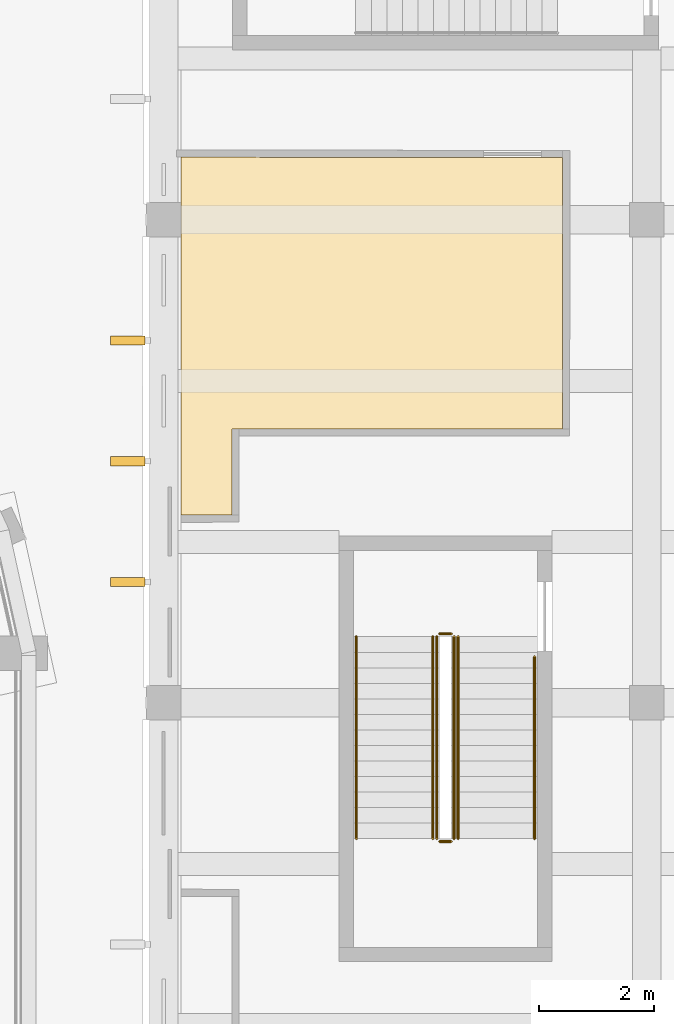
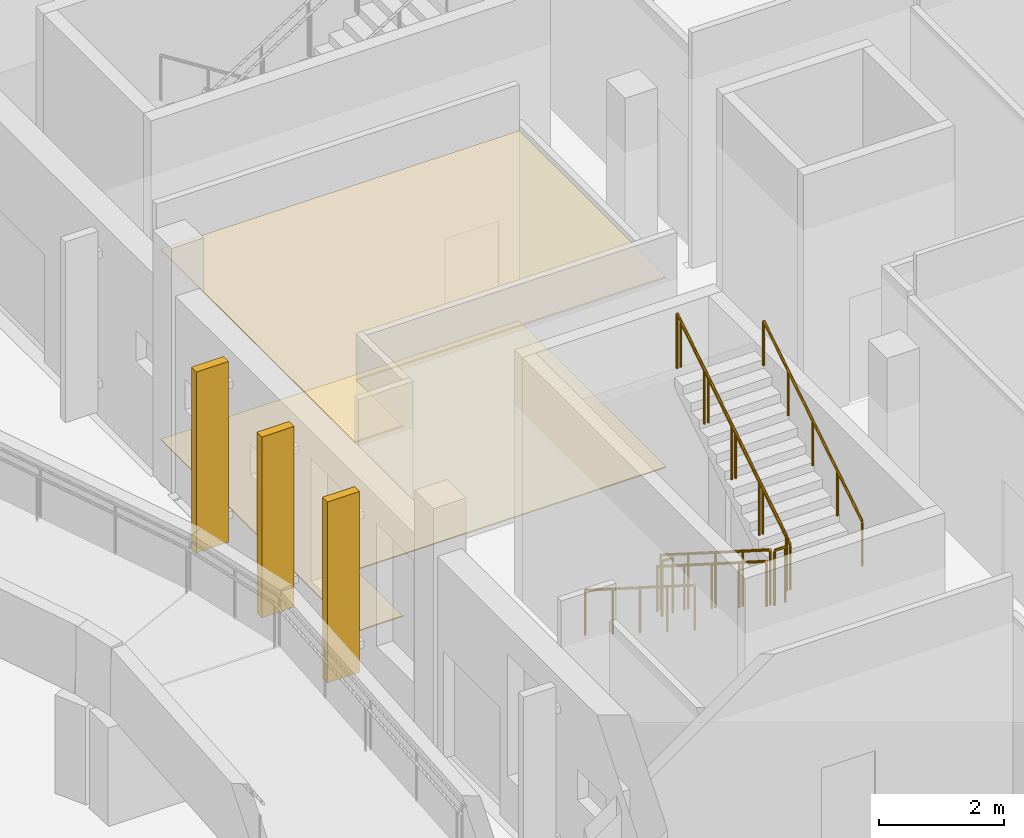
# One storey, part 89 of 110: 8 railings, 5 coverings.
"""IFC4 building model written with IfcOpenShell, lengths in metres."""

from ifc_helpers import new_model, si_unit, direction, frame, origin, origin_2d, place, context, subcontext, project, spatial, polyline, circle, outline, extrude, material, layer, layer_set, type_object, element, save


model = new_model("IFC4")

# Units and contexts
model_context = context("Model", 3, precision=1e-05, world=origin(), true_north=direction((0.0, 1.0)))
body_context = subcontext(model_context, "Body", "Model", "MODEL_VIEW")
ifc_project = project(units=[si_unit("LENGTHUNIT", "METRE"), si_unit("AREAUNIT", "SQUARE_METRE"), si_unit("VOLUMEUNIT", "CUBIC_METRE"), si_unit("PLANEANGLEUNIT", "RADIAN"), si_unit("MASSUNIT", "GRAM", prefix="KILO")], contexts=[model_context])

# Site, building, storey
site_placement = place(None, origin())
site = spatial("IfcSite", under=ifc_project, at=site_placement, CompositionType="ELEMENT")
building_placement = place(site_placement, origin())
building = spatial("IfcBuilding", under=site, at=building_placement, Name="Larchfold Concert Hall", CompositionType="ELEMENT")
storey_placement = place(building_placement, origin())
storey = spatial("IfcBuildingStorey", under=building, at=storey_placement, Name="L00", CompositionType="ELEMENT", Elevation=0.0)

# Coverings
ifc_material_1 = material(Name="Plasterboard ceiling lining")
ifc_layer_1 = layer(ifc_material_1, 0.030029296875)
ifc_layer_set_1 = layer_set([ifc_layer_1], Name="Plasterboard ceiling lining")
covering_type_1 = type_object("IfcCoveringType", Name="Ceiling suspended plasterboard 30", PredefinedType="CEILING", material=ifc_layer_set_1)
covering_1_placement = place(storey_placement, frame((0.0, 0.0, 3.7099609375)))
element("IfcCovering", 1, at=covering_1_placement, inside=storey, type_object=covering_type_1, Name="Ceiling Dressing Room 03", PredefinedType="CEILING", context=body_context, shape_type="SweptSolid", body=[
    extrude(outline(polyline([(84.900146484375, 35.28857421875), (84.900146484375, 29.0625), (85.825439453125, 29.0673828125), (85.78662109375, 29.0673828125), (85.78857421875, 30.5615234375), (91.60009765625, 30.5634765625), (91.53466796875, 30.5634765625), (91.53857421875, 35.279541015625), (84.900146484375, 35.28857421875)])), origin(), (0.0, 0.0, 1.0), 0.030029296875),
])
ifc_material_2 = material(Name="Linoleum sheet")
ifc_layer_2 = layer(ifc_material_2, 0.02001953125)
ifc_layer_set_2 = layer_set([ifc_layer_2], Name="Linoleum sheet")
covering_type_2 = type_object("IfcCoveringType", Name="Floor finish vinyl 20", PredefinedType="FLOORING", material=ifc_layer_set_2)
covering_2_placement = place(storey_placement, origin())
element("IfcCovering", 2, at=covering_2_placement, inside=storey, type_object=covering_type_2, Name="Floor finish Dressing Room 03", PredefinedType="FLOORING", context=body_context, shape_type="SweptSolid", body=[
    extrude(outline(polyline([(84.900146484375, 35.28857421875), (84.900146484375, 29.0625), (85.825439453125, 29.0673828125), (85.78662109375, 29.0673828125), (85.78857421875, 30.5615234375), (91.60009765625, 30.5634765625), (91.53466796875, 30.5634765625), (91.53857421875, 35.279541015625), (84.900146484375, 35.28857421875)])), origin(), (0.0, 0.0, 1.0), 0.02001953125),
])
ifc_material_3 = material(Name="Glulam GL30c", Category="wood")
ifc_layer_3 = layer(ifc_material_3, 0.159912109375)
ifc_layer_set_3 = layer_set([ifc_layer_3], Name="Glulam GL30c")
covering_type_3 = type_object("IfcCoveringType", Name="Glulam fin 160x600", PredefinedType="CLADDING", material=ifc_layer_set_3)
covering_3_placement = place(storey_placement, frame((0.0, 0.0, 0.199951171875)))
element("IfcCovering", 3, at=covering_3_placement, inside=storey, type_object=covering_type_3, Name="Glulam fin FN-L00-041", PredefinedType="CLADDING", context=body_context, shape_type="SweptSolid", body=[
    extrude(outline(polyline([(84.275146484375, 27.820068359375), (84.275146484375, 27.97998046875), (83.675048828125, 27.97998046875), (83.675048828125, 27.820068359375), (84.275146484375, 27.820068359375)])), origin(), (0.0, 0.0, 1.0), 3.5400390625),
])
covering_4_placement = place(storey_placement, frame((0.0, 0.0, 0.199951171875)))
element("IfcCovering", 4, at=covering_4_placement, inside=storey, type_object=covering_type_3, Name="Glulam fin FN-L00-042", PredefinedType="CLADDING", context=body_context, shape_type="SweptSolid", body=[
    extrude(outline(polyline([(84.275146484375, 29.919921875), (84.275146484375, 30.080078125), (83.675048828125, 30.080078125), (83.675048828125, 29.919921875), (84.275146484375, 29.919921875)])), origin(), (0.0, 0.0, 1.0), 3.5400390625),
])
covering_5_placement = place(storey_placement, frame((0.0, 0.0, 0.199951171875)))
element("IfcCovering", 5, at=covering_5_placement, inside=storey, type_object=covering_type_3, Name="Glulam fin FN-L00-043", PredefinedType="CLADDING", context=body_context, shape_type="SweptSolid", body=[
    extrude(outline(polyline([(84.275146484375, 32.02001953125), (84.275146484375, 32.179931640625), (83.675048828125, 32.179931640625), (83.675048828125, 32.02001953125), (84.275146484375, 32.02001953125)])), origin(), (0.0, 0.0, 1.0), 3.5400390625),
])

# Railings
ifc_material_4 = material(Name="Stainless steel balustrade", Category="steel")
railing_type_1 = type_object("IfcRailingType", Name="Stair guard 1100", PredefinedType="GUARDRAIL", material=ifc_material_4)
railing_1_placement = place(storey_placement, frame((89.349853515625, 26.949951171875, 0.17138671875)))
element("IfcRailing", 6, at=railing_1_placement, inside=storey, type_object=railing_type_1, Name="Guard GR0057", PredefinedType="GUARDRAIL", context=body_context, shape_type="SweptSolid", body=[
    extrude(circle(Radius=0.02392578125, at=origin_2d()), frame((0.0, 0.0, 1.076171875), z_axis=(0.0, -0.844219563411, 0.53599750816), x_axis=(1.0, 0.0, 0.0)), (0.0, 0.0, 1.0), 4.15771484375),
    extrude(circle(Radius=0.02099609375, at=origin_2d()), origin(), (0.0, 0.0, 1.0), 1.052001953125),
    extrude(circle(Radius=0.02099609375, at=origin_2d()), frame((0.0, -0.87744140625, 0.55712890625)), (0.0, 0.0, 1.0), 1.052001953125),
    extrude(circle(Radius=0.02099609375, at=origin_2d()), frame((0.0, -1.7548828125, 1.1142578125)), (0.0, 0.0, 1.0), 1.052001953125),
    extrude(circle(Radius=0.02099609375, at=origin_2d()), frame((0.0, -2.632568359375, 1.67138671875)), (0.0, 0.0, 1.0), 1.052001953125),
    extrude(circle(Radius=0.02099609375, at=origin_2d()), frame((0.0, -3.510009765625, 2.228515625)), (0.0, 0.0, 1.0), 1.052001953125),
])
railing_2_placement = place(storey_placement, frame((89.39990234375, 23.389892578125, 2.39990234375)))
element("IfcRailing", 7, at=railing_2_placement, inside=storey, type_object=railing_type_1, Name="Guard GR0058", PredefinedType="GUARDRAIL", context=body_context, shape_type="SweptSolid", body=[
    extrude(circle(Radius=0.02392578125, at=origin_2d()), frame((0.0, 0.0, 1.076171875), z_axis=(1.0, 0.0, 0.0), x_axis=(0.0, 1.0, 0.0)), (0.0, 0.0, 1.0), 0.199951171875),
    extrude(circle(Radius=0.02099609375, at=origin_2d()), origin(), (0.0, 0.0, 1.0), 1.052001953125),
    extrude(circle(Radius=0.02099609375, at=origin_2d()), frame((0.199951171875, 0.0, 0.0)), (0.0, 0.0, 1.0), 1.052001953125),
])
railing_3_placement = place(storey_placement, frame((89.64990234375, 23.43994140625, 2.571533203125)))
element("IfcRailing", 8, at=railing_3_placement, inside=storey, type_object=railing_type_1, Name="Guard GR0059", PredefinedType="GUARDRAIL", context=body_context, shape_type="SweptSolid", body=[
    extrude(circle(Radius=0.02392578125, at=origin_2d()), frame((0.0, 0.0, 1.076171875), z_axis=(0.0, 0.844219563411, 0.53599750816), x_axis=(-1.0, 0.0, 0.0)), (0.0, 0.0, 1.0), 4.15771484375),
    extrude(circle(Radius=0.02099609375, at=origin_2d()), origin(), (0.0, 0.0, 1.0), 1.052001953125),
    extrude(circle(Radius=0.02099609375, at=origin_2d()), frame((0.0, 0.87744140625, 0.55712890625)), (0.0, 0.0, 1.0), 1.052001953125),
    extrude(circle(Radius=0.02099609375, at=origin_2d()), frame((0.0, 1.7548828125, 1.1142578125)), (0.0, 0.0, 1.0), 1.052001953125),
    extrude(circle(Radius=0.02099609375, at=origin_2d()), frame((0.0, 2.632568359375, 1.67138671875)), (0.0, 0.0, 1.0), 1.052001953125),
    extrude(circle(Radius=0.02099609375, at=origin_2d()), frame((0.0, 3.510009765625, 2.228515625)), (0.0, 0.0, 1.0), 1.052001953125),
])
railing_4_placement = place(storey_placement, frame((89.39990234375, 27.0, 0.0)))
element("IfcRailing", 9, at=railing_4_placement, inside=storey, type_object=railing_type_1, Name="Guard GR0060", PredefinedType="GUARDRAIL", context=body_context, shape_type="SweptSolid", body=[
    extrude(circle(Radius=0.02392578125, at=origin_2d()), frame((0.0, 0.0, 1.076171875), z_axis=(1.0, 0.0, 0.0), x_axis=(0.0, 1.0, 0.0)), (0.0, 0.0, 1.0), 0.199951171875),
    extrude(circle(Radius=0.02099609375, at=origin_2d()), origin(), (0.0, 0.0, 1.0), 1.052001953125),
    extrude(circle(Radius=0.02099609375, at=origin_2d()), frame((0.199951171875, 0.0, 0.0)), (0.0, 0.0, 1.0), 1.052001953125),
])
ifc_material_5 = material(Name="Stainless steel handrail", Category="steel")
railing_type_2 = type_object("IfcRailingType", Name="Stair handrail 900", PredefinedType="HANDRAIL", material=ifc_material_5)
railing_5_placement = place(storey_placement, frame((87.949951171875, 26.949951171875, 0.17138671875)))
element("IfcRailing", 10, at=railing_5_placement, inside=storey, type_object=railing_type_2, Name="Handrail HR0053", PredefinedType="HANDRAIL", context=body_context, shape_type="SweptSolid", body=[
    extrude(circle(Radius=0.02392578125, at=origin_2d()), frame((0.0, 0.0, 0.8759765625), z_axis=(0.0, -0.844219563411, 0.53599750816), x_axis=(1.0, 0.0, 0.0)), (0.0, 0.0, 1.0), 4.15771484375),
    extrude(circle(Radius=0.02099609375, at=origin_2d()), origin(), (0.0, 0.0, 1.0), 0.851806640625),
    extrude(circle(Radius=0.02099609375, at=origin_2d()), frame((0.0, -0.87744140625, 0.55712890625)), (0.0, 0.0, 1.0), 0.851806640625),
    extrude(circle(Radius=0.02099609375, at=origin_2d()), frame((0.0, -1.7548828125, 1.1142578125)), (0.0, 0.0, 1.0), 0.851806640625),
    extrude(circle(Radius=0.02099609375, at=origin_2d()), frame((0.0, -2.632568359375, 1.67138671875)), (0.0, 0.0, 1.0), 0.851806640625),
    extrude(circle(Radius=0.02099609375, at=origin_2d()), frame((0.0, -3.510009765625, 2.228515625)), (0.0, 0.0, 1.0), 0.851806640625),
])
railing_6_placement = place(storey_placement, frame((91.0498046875, 23.43994140625, 2.571533203125)))
element("IfcRailing", 11, at=railing_6_placement, inside=storey, type_object=railing_type_2, Name="Handrail HR0054", PredefinedType="HANDRAIL", context=body_context, shape_type="SweptSolid", body=[
    extrude(circle(Radius=0.02392578125, at=origin_2d()), frame((0.0, 0.0, 0.8759765625), z_axis=(0.0, 0.844224994989, 0.535988953092), x_axis=(-1.0, 0.0, 0.0)), (0.0, 0.0, 1.0), 3.7431640625),
    extrude(circle(Radius=0.02099609375, at=origin_2d()), origin(), (0.0, 0.0, 1.0), 0.851806640625),
    extrude(circle(Radius=0.02099609375, at=origin_2d()), frame((0.0, 0.7900390625, 0.50146484375)), (0.0, 0.0, 1.0), 0.851806640625),
    extrude(circle(Radius=0.02099609375, at=origin_2d()), frame((0.0, 1.580078125, 1.003173828125)), (0.0, 0.0, 1.0), 0.851806640625),
    extrude(circle(Radius=0.02099609375, at=origin_2d()), frame((0.0, 2.3701171875, 1.5048828125)), (0.0, 0.0, 1.0), 0.851806640625),
    extrude(circle(Radius=0.02099609375, at=origin_2d()), frame((0.0, 3.16015625, 2.00634765625)), (0.0, 0.0, 1.0), 0.851806640625),
])
railing_7_placement = place(storey_placement, frame((89.27978515625, 26.949951171875, 0.17138671875)))
element("IfcRailing", 12, at=railing_7_placement, inside=storey, type_object=railing_type_2, Name="Handrail HR0055", PredefinedType="HANDRAIL", context=body_context, shape_type="SweptSolid", body=[
    extrude(circle(Radius=0.02392578125, at=origin_2d()), frame((0.0, 0.0, 0.8759765625), z_axis=(0.0, -0.844219563411, 0.53599750816), x_axis=(1.0, 0.0, 0.0)), (0.0, 0.0, 1.0), 4.15771484375),
    extrude(circle(Radius=0.02099609375, at=origin_2d()), origin(), (0.0, 0.0, 1.0), 0.851806640625),
    extrude(circle(Radius=0.02099609375, at=origin_2d()), frame((0.0, -0.87744140625, 0.55712890625)), (0.0, 0.0, 1.0), 0.851806640625),
    extrude(circle(Radius=0.02099609375, at=origin_2d()), frame((0.0, -1.7548828125, 1.1142578125)), (0.0, 0.0, 1.0), 0.851806640625),
    extrude(circle(Radius=0.02099609375, at=origin_2d()), frame((0.0, -2.632568359375, 1.67138671875)), (0.0, 0.0, 1.0), 0.851806640625),
    extrude(circle(Radius=0.02099609375, at=origin_2d()), frame((0.0, -3.510009765625, 2.228515625)), (0.0, 0.0, 1.0), 0.851806640625),
])
railing_8_placement = place(storey_placement, frame((89.719970703125, 23.43994140625, 2.571533203125)))
element("IfcRailing", 13, at=railing_8_placement, inside=storey, type_object=railing_type_2, Name="Handrail HR0056", PredefinedType="HANDRAIL", context=body_context, shape_type="SweptSolid", body=[
    extrude(circle(Radius=0.02392578125, at=origin_2d()), frame((0.0, 0.0, 0.8759765625), z_axis=(0.0, 0.844219563411, 0.53599750816), x_axis=(-1.0, 0.0, 0.0)), (0.0, 0.0, 1.0), 4.15771484375),
    extrude(circle(Radius=0.02099609375, at=origin_2d()), origin(), (0.0, 0.0, 1.0), 0.851806640625),
    extrude(circle(Radius=0.02099609375, at=origin_2d()), frame((0.0, 0.87744140625, 0.55712890625)), (0.0, 0.0, 1.0), 0.851806640625),
    extrude(circle(Radius=0.02099609375, at=origin_2d()), frame((0.0, 1.7548828125, 1.1142578125)), (0.0, 0.0, 1.0), 0.851806640625),
    extrude(circle(Radius=0.02099609375, at=origin_2d()), frame((0.0, 2.632568359375, 1.67138671875)), (0.0, 0.0, 1.0), 0.851806640625),
    extrude(circle(Radius=0.02099609375, at=origin_2d()), frame((0.0, 3.510009765625, 2.228515625)), (0.0, 0.0, 1.0), 0.851806640625),
])

save(model, "model.ifc")
